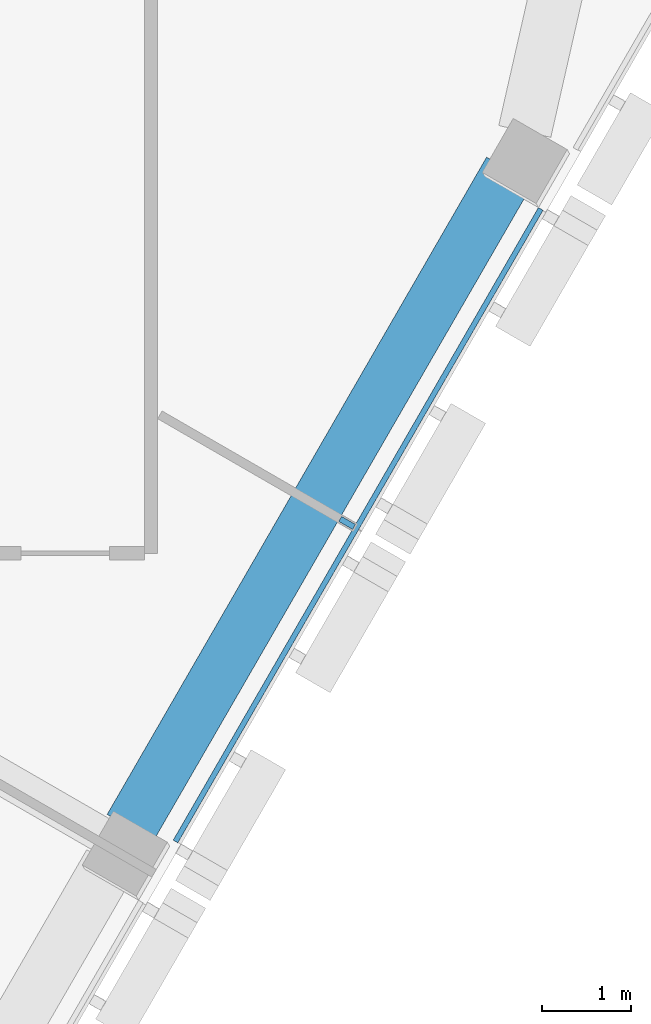
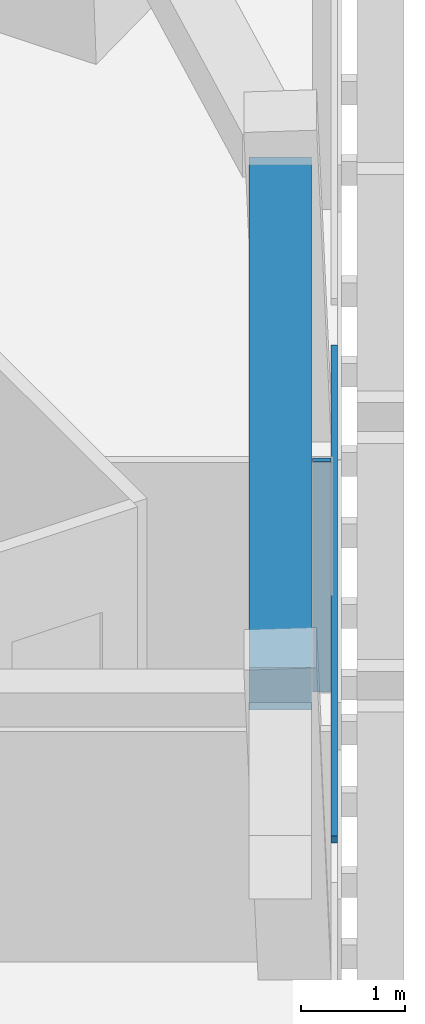
# One storey, part 4 of 12: 2 members, 1 beam, 1 element without a shape of its own.
"""IFC4 building model written with IfcOpenShell, lengths in metres."""

from ifc_helpers import new_model, si_unit, direction, frame, origin, origin_2d, place, context, subcontext, project, spatial, rectangle, extrude, material, layer, layer_set, material_profile, profile_set, type_object, element, aggregate, save


model = new_model("IFC4")

# Units and contexts
model_context = context("Model", 3, precision=1e-05, world=origin(), true_north=direction((0.0, 1.0)))
body_context = subcontext(model_context, "Body", "Model", "MODEL_VIEW")
ifc_project = project(units=[si_unit("LENGTHUNIT", "METRE"), si_unit("AREAUNIT", "SQUARE_METRE"), si_unit("VOLUMEUNIT", "CUBIC_METRE"), si_unit("PLANEANGLEUNIT", "RADIAN"), si_unit("MASSUNIT", "GRAM", prefix="KILO")], contexts=[model_context])

# Site, building, storey
site_placement = place(None, origin())
site = spatial("IfcSite", under=ifc_project, at=site_placement, CompositionType="ELEMENT")
building_placement = place(site_placement, origin())
building = spatial("IfcBuilding", under=site, at=building_placement, Name="Altiplano Prism Tower", CompositionType="ELEMENT")
storey_placement = place(building_placement, frame((0.0, 0.0, 275.199951171875)))
storey = spatial("IfcBuildingStorey", under=building, at=storey_placement, Name="L71", CompositionType="ELEMENT", Elevation=275.199951171875)

# Curtain wall, members
ifc_material_1 = material(Name="Aluminium and glass", Category="aluminium")
ifc_layer = layer(ifc_material_1, 0.280029296875)
ifc_layer_set = layer_set([ifc_layer], Name="Aluminium and glass")
curtain_wall_type = type_object("IfcCurtainWallType", Name="CW1 typical co-living unitised curtain wall", PredefinedType="NOTDEFINED", material=ifc_layer_set)
curtain_wall_placement = place(storey_placement, origin())
curtain_wall = element("IfcCurtainWall", 1, at=curtain_wall_placement, inside=storey, type_object=curtain_wall_type, Name="CW1 curtain wall south-east face L71", PredefinedType="NOTDEFINED")
ifc_material_2 = material(Name="Aluminium", Category="aluminium")
ifc_material_profile_1 = material_profile(ifc_material_2, rectangle(XDim=0.179931640625, YDim=0.06494140625, at=origin_2d()), Name="CW1 mullion 65 x 180")
ifc_profile_set_1 = profile_set([ifc_material_profile_1], Name="Aluminium")
member_type_1 = type_object("IfcMemberType", Name="CW1 mullion 65 x 180", PredefinedType="MULLION", material=ifc_profile_set_1)
member_1_placement = place(storey_placement, frame((102.007080078125, 90.941162109375, 0.0), z_axis=(0.0, 0.0, 1.0), x_axis=(-0.866025405879, 0.499999996372, 0.0)))
member_1 = element("IfcMember", 2, at=member_1_placement, type_object=member_type_1, Name="CW1 mullion", PredefinedType="MULLION", context=body_context, shape_type="SweptSolid", body=[
    extrude(rectangle(XDim=0.179931640625, YDim=0.06494140625, at=origin_2d()), origin(), (0.0, 0.0, 1.0), 2.699951171875),
])
ifc_material_profile_2 = material_profile(ifc_material_2, rectangle(XDim=0.06005859375, YDim=0.080078125, at=origin_2d()), Name="CW1 transom 80 x 60")
ifc_profile_set_2 = profile_set([ifc_material_profile_2], Name="Aluminium")
member_type_2 = type_object("IfcMemberType", Name="CW1 transom 80 x 60", PredefinedType="USERDEFINED", material=ifc_profile_set_2)
member_2_placement = place(storey_placement, frame((100.075927734375, 87.356201171875, 1.10009765625), z_axis=(0.499991554064, 0.866030279993, 0.0), x_axis=(-0.866030279993, 0.499991554064, 0.0)))
member_2 = element("IfcMember", 3, at=member_2_placement, type_object=member_type_2, Name="CW1 transom", ObjectType="TRANSOM", PredefinedType="USERDEFINED", context=body_context, shape_type="SweptSolid", body=[
    extrude(rectangle(XDim=0.06005859375, YDim=0.080078125, at=origin_2d()), origin(), (0.0, 0.0, 1.0), 8.219970703125),
])
aggregate(curtain_wall, [member_1, member_2])

# Beam
ifc_material_3 = material(Name="Concrete C60/75", Category="concrete")
ifc_material_profile_3 = material_profile(ifc_material_3, rectangle(XDim=0.60009765625, YDim=0.5, at=origin_2d()), Name="Edge beam 600x500")
ifc_profile_set_3 = profile_set([ifc_material_profile_3], Name="Concrete C60/75")
beam_type = type_object("IfcBeamType", Name="Edge beam 600x500", PredefinedType="SPANDREL", material=ifc_profile_set_3)
beam_placement = place(storey_placement, frame((99.56689453125, 87.51171875, 2.949951171875), z_axis=(0.499994660107, 0.866028486751, 0.0), x_axis=(-0.866028486751, 0.499994660107, 0.0)))
element("IfcBeam", 4, at=beam_placement, inside=storey, type_object=beam_type, Name="Edge beam P23-P24 L72", PredefinedType="SPANDREL", context=body_context, shape_type="SweptSolid", body=[
    extrude(rectangle(XDim=0.60009765625, YDim=0.5, at=origin_2d()), origin(), (0.0, 0.0, 1.0), 8.5400390625),
])

save(model, "model.ifc")
